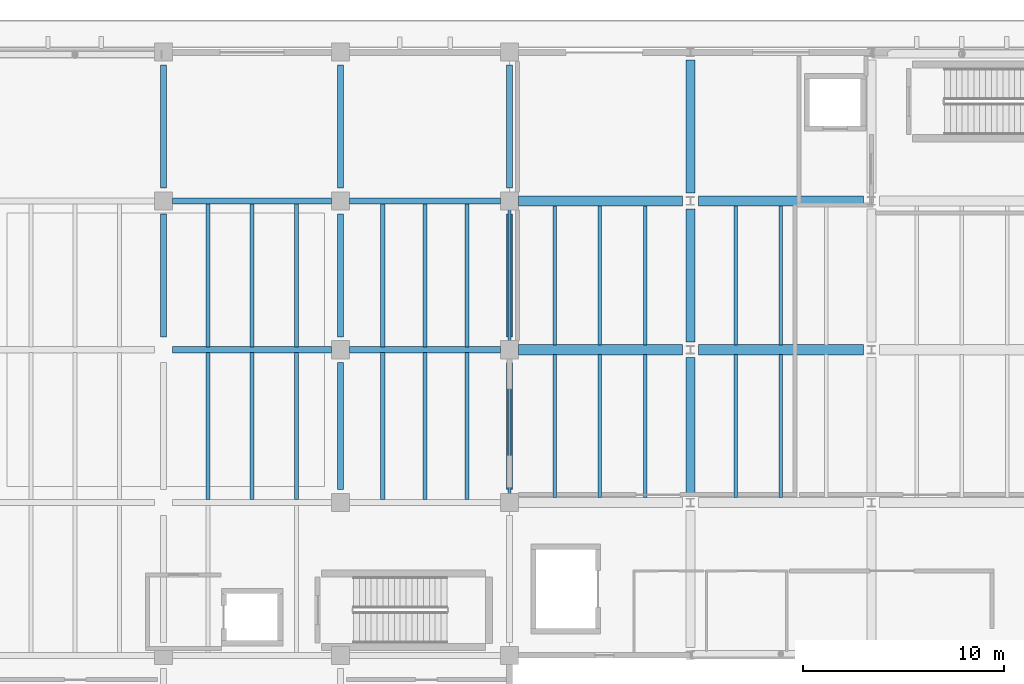
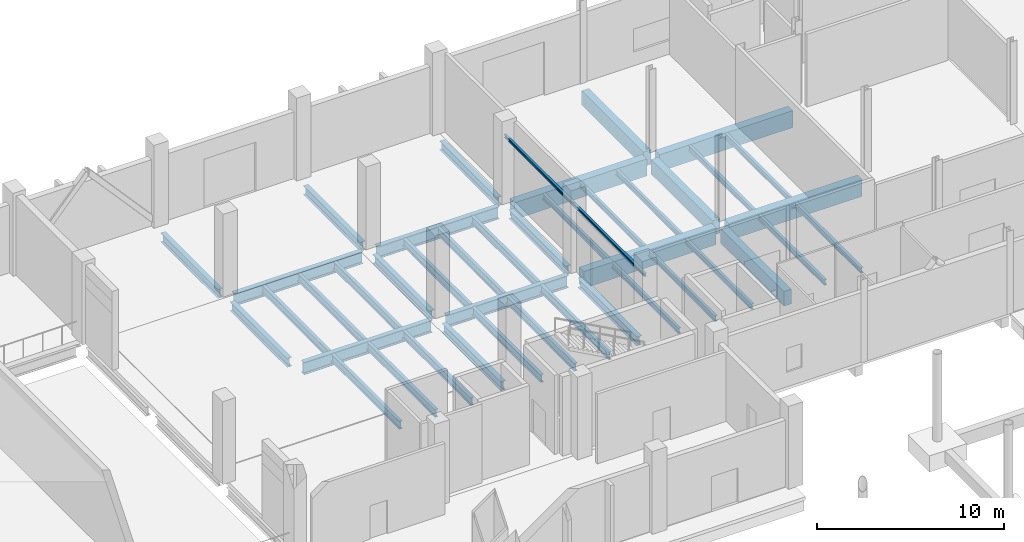
# One storey, part 47 of 95: 43 beams.
"""IFC4 building model written with IfcOpenShell, lengths in metres."""

from ifc_helpers import new_model, si_unit, direction, frame, origin, origin_2d, place, context, subcontext, project, spatial, rectangle, i_section, extrude, material, material_profile, profile_set, type_object, element, save


model = new_model("IFC4")

# Units and contexts
model_context = context("Model", 3, precision=1e-05, world=origin(), true_north=direction((0.0, 1.0)))
body_context = subcontext(model_context, "Body", "Model", "MODEL_VIEW")
ifc_project = project(units=[si_unit("LENGTHUNIT", "METRE"), si_unit("AREAUNIT", "SQUARE_METRE"), si_unit("VOLUMEUNIT", "CUBIC_METRE"), si_unit("PLANEANGLEUNIT", "RADIAN"), si_unit("MASSUNIT", "GRAM", prefix="KILO")], contexts=[model_context])

# Site, building, storey
site_placement = place(None, origin())
site = spatial("IfcSite", under=ifc_project, at=site_placement, CompositionType="ELEMENT")
building_placement = place(site_placement, origin())
building = spatial("IfcBuilding", under=site, at=building_placement, Name="Shengluoqiao Park Theatre", CompositionType="ELEMENT")
storey_placement = place(building_placement, origin())
storey = spatial("IfcBuildingStorey", under=building, at=storey_placement, Name="L00", CompositionType="ELEMENT", Elevation=0.0)

# Beams
ifc_material_1 = material(Name="Concrete C40", Category="concrete")
ifc_material_profile_1 = material_profile(ifc_material_1, rectangle(XDim=0.449951171875, YDim=0.949951171875, at=origin_2d()), Name="RC BEAM 450x950")
ifc_profile_set_1 = profile_set([ifc_material_profile_1], Name="Concrete C40")
beam_type_1 = type_object("IfcBeamType", Name="STR-BM-B-RC4595", PredefinedType="BEAM", material=ifc_profile_set_1)
beam_1_placement = place(storey_placement, frame((121.39990234375, 91.993896484375, -0.77490234375), z_axis=(0.0, 1.0, 0.0), x_axis=(-1.0, 0.0, 0.0)))
element("IfcBeam", 1, at=beam_1_placement, inside=storey, type_object=beam_type_1, Name="L00 Transverse Girder 00230", PredefinedType="BEAM", context=body_context, shape_type="SweptSolid", body=[
    extrude(rectangle(XDim=0.449951171875, YDim=0.949951171875, at=origin_2d()), origin(), (0.0, 0.0, 1.0), 6.81201171875),
])
for number, where, z_axis, x_axis, name in (
    (2, (121.39990234375, 99.593994140625, -0.77490234375), (0.0, 1.0, 0.0), (-1.0, 0.0, 0.0), "L00 Transverse Girder 00231"),
    (3, (121.39990234375, 106.993896484375, -0.77490234375), (0.0, 1.0, 0.0), (-1.0, 0.0, 0.0), "L00 Transverse Girder 00232"),
):
    element("IfcBeam", number, at=place(storey_placement, frame(where, z_axis=z_axis, x_axis=x_axis)), inside=storey, type_object=beam_type_1, Name=name, PredefinedType="BEAM", context=body_context, shape_type="SweptSolid", body=[
        extrude(rectangle(XDim=0.449951171875, YDim=0.949951171875, at=origin_2d()), origin(), (0.0, 0.0, 1.0), 6.612060546875),
    ])
ifc_material_profile_2 = material_profile(ifc_material_1, rectangle(XDim=0.5, YDim=1.10009765625, at=origin_2d()), Name="RC BEAM 500x1100")
ifc_profile_set_2 = profile_set([ifc_material_profile_2], Name="Concrete C40")
beam_type_2 = type_object("IfcBeamType", Name="STR-BM-B-RC5011", PredefinedType="BEAM", material=ifc_profile_set_2)
beam_2_placement = place(storey_placement, frame((112.843994140625, 99.199951171875, -0.85009765625), z_axis=(1.0, 0.0, 0.0), x_axis=(0.0, 1.0, 0.0)))
element("IfcBeam", 4, at=beam_2_placement, inside=storey, type_object=beam_type_2, Name="L00 Primary Girder 00223", PredefinedType="BEAM", context=body_context, shape_type="SweptSolid", body=[
    extrude(rectangle(XDim=0.5, YDim=1.10009765625, at=origin_2d()), origin(), (0.0, 0.0, 1.0), 8.162109375),
])
beam_3_placement = place(storey_placement, frame((121.7939453125, 99.199951171875, -0.85009765625), z_axis=(1.0, 0.0, 0.0), x_axis=(0.0, 1.0, 0.0)))
element("IfcBeam", 5, at=beam_3_placement, inside=storey, type_object=beam_type_2, Name="L00 Primary Girder 00224", PredefinedType="BEAM", context=body_context, shape_type="SweptSolid", body=[
    extrude(rectangle(XDim=0.5, YDim=1.10009765625, at=origin_2d()), origin(), (0.0, 0.0, 1.0), 8.212158203125),
])
beam_4_placement = place(storey_placement, frame((112.843994140625, 106.60009765625, -0.85009765625), z_axis=(1.0, 0.0, 0.0), x_axis=(0.0, 1.0, 0.0)))
element("IfcBeam", 6, at=beam_4_placement, inside=storey, type_object=beam_type_2, Name="L00 Primary Girder 00226", PredefinedType="BEAM", context=body_context, shape_type="SweptSolid", body=[
    extrude(rectangle(XDim=0.5, YDim=1.10009765625, at=origin_2d()), origin(), (0.0, 0.0, 1.0), 8.162109375),
])
beam_5_placement = place(storey_placement, frame((121.7939453125, 106.60009765625, -0.85009765625), z_axis=(1.0, 0.0, 0.0), x_axis=(0.0, 1.0, 0.0)))
element("IfcBeam", 7, at=beam_5_placement, inside=storey, type_object=beam_type_2, Name="L00 Primary Girder 00227", PredefinedType="BEAM", context=body_context, shape_type="SweptSolid", body=[
    extrude(rectangle(XDim=0.5, YDim=1.10009765625, at=origin_2d()), origin(), (0.0, 0.0, 1.0), 8.212158203125),
])
ifc_material_2 = material(Name="Steel Q355", Category="steel")
ifc_material_profile_3 = material_profile(ifc_material_2, i_section(OverallWidth=0.300048828125, OverallDepth=0.58203125, WebThickness=0.011962890625, FlangeThickness=0.01708984375, FilletRadius=0.02392578125, at=origin_2d()), Name="HM 582x300x12x17")
ifc_profile_set_3 = profile_set([ifc_material_profile_3], Name="Steel Q355")
beam_type_3 = type_object("IfcBeamType", Name="STR-BM-G-HM582", PredefinedType="BEAM", material=ifc_profile_set_3)
for number, where, z_axis, x_axis, name in (
    (8, (95.199951171875, 99.843994140625, -0.571044921875), (0.0, 1.0, 0.0), (-1.0, 0.0, 0.0), "L00 Transverse Girder 00157"),
    (9, (95.199951171875, 107.243896484375, -0.571044921875), (0.0, 1.0, 0.0), (-1.0, 0.0, 0.0), "L00 Transverse Girder 00158"),
):
    element("IfcBeam", number, at=place(storey_placement, frame(where, z_axis=z_axis, x_axis=x_axis)), inside=storey, type_object=beam_type_3, Name=name, PredefinedType="BEAM", context=body_context, shape_type="SweptSolid", body=[
        extrude(i_section(OverallWidth=0.300048828125, OverallDepth=0.58203125, WebThickness=0.011962890625, FlangeThickness=0.01708984375, FilletRadius=0.02392578125, at=origin_2d()), origin(), (0.0, 0.0, 1.0), 6.112060546875),
    ])
beam_6_placement = place(storey_placement, frame((104.0, 92.243896484375, -0.571044921875), z_axis=(0.0, 1.0, 0.0), x_axis=(-1.0, 0.0, 0.0)))
element("IfcBeam", 10, at=beam_6_placement, inside=storey, type_object=beam_type_3, Name="L00 Transverse Girder 00159", PredefinedType="BEAM", context=body_context, shape_type="SweptSolid", body=[
    extrude(i_section(OverallWidth=0.300048828125, OverallDepth=0.58203125, WebThickness=0.011962890625, FlangeThickness=0.01708984375, FilletRadius=0.02392578125, at=origin_2d()), origin(), (0.0, 0.0, 1.0), 6.31201171875),
])
for number, where, z_axis, x_axis, name in (
    (11, (104.0, 99.843994140625, -0.571044921875), (0.0, 1.0, 0.0), (-1.0, 0.0, 0.0), "L00 Transverse Girder 00160"),
    (12, (104.0, 107.243896484375, -0.571044921875), (0.0, 1.0, 0.0), (-1.0, 0.0, 0.0), "L00 Transverse Girder 00161"),
):
    element("IfcBeam", number, at=place(storey_placement, frame(where, z_axis=z_axis, x_axis=x_axis)), inside=storey, type_object=beam_type_3, Name=name, PredefinedType="BEAM", context=body_context, shape_type="SweptSolid", body=[
        extrude(i_section(OverallWidth=0.300048828125, OverallDepth=0.58203125, WebThickness=0.011962890625, FlangeThickness=0.01708984375, FilletRadius=0.02392578125, at=origin_2d()), origin(), (0.0, 0.0, 1.0), 6.112060546875),
    ])
beam_7_placement = place(storey_placement, frame((112.39990234375, 92.243896484375, -0.591064453125), z_axis=(0.0, 1.0, 0.0), x_axis=(-1.0, 0.0, 0.0)))
element("IfcBeam", 13, at=beam_7_placement, inside=storey, type_object=beam_type_3, Name="L00 Transverse Girder 00163", PredefinedType="BEAM", context=body_context, shape_type="SweptSolid", body=[
    extrude(i_section(OverallWidth=0.300048828125, OverallDepth=0.58203125, WebThickness=0.011962890625, FlangeThickness=0.01708984375, FilletRadius=0.02392578125, at=origin_2d()), origin(), (0.0, 0.0, 1.0), 6.31201171875),
])
for number, where, z_axis, x_axis, name in (
    (14, (112.39990234375, 99.843994140625, -0.591064453125), (0.0, 1.0, 0.0), (-1.0, 0.0, 0.0), "L00 Transverse Girder 00164"),
    (15, (112.39990234375, 107.243896484375, -0.591064453125), (0.0, 1.0, 0.0), (-1.0, 0.0, 0.0), "L00 Transverse Girder 00165"),
):
    element("IfcBeam", number, at=place(storey_placement, frame(where, z_axis=z_axis, x_axis=x_axis)), inside=storey, type_object=beam_type_3, Name=name, PredefinedType="BEAM", context=body_context, shape_type="SweptSolid", body=[
        extrude(i_section(OverallWidth=0.300048828125, OverallDepth=0.58203125, WebThickness=0.011962890625, FlangeThickness=0.01708984375, FilletRadius=0.02392578125, at=origin_2d()), origin(), (0.0, 0.0, 1.0), 6.112060546875),
    ])
ifc_material_3 = material(Name="Steel Q390", Category="steel")
ifc_material_profile_4 = material_profile(ifc_material_3, i_section(OverallWidth=0.300048828125, OverallDepth=0.800048828125, WebThickness=0.013916015625, FlangeThickness=0.02587890625, FilletRadius=0.02587890625, at=origin_2d()), Name="HN 800x300x14x26")
ifc_profile_set_4 = profile_set([ifc_material_profile_4], Name="Steel Q390")
beam_type_4 = type_object("IfcBeamType", Name="STR-BM-G-HN800", PredefinedType="BEAM", material=ifc_profile_set_4)
beam_8_placement = place(storey_placement, frame((95.64404296875, 99.199951171875, -0.679931640625), z_axis=(1.0, 0.0, 0.0), x_axis=(0.0, 1.0, 0.0)))
element("IfcBeam", 16, at=beam_8_placement, inside=storey, type_object=beam_type_4, Name="L00 Primary Girder 00147", PredefinedType="BEAM", context=body_context, shape_type="SweptSolid", body=[
    extrude(i_section(OverallWidth=0.300048828125, OverallDepth=0.800048828125, WebThickness=0.013916015625, FlangeThickness=0.02587890625, FilletRadius=0.02587890625, at=origin_2d()), origin(), (0.0, 0.0, 1.0), 7.911865234375),
])
beam_9_placement = place(storey_placement, frame((104.444091796875, 99.199951171875, -0.699951171875), z_axis=(1.0, 0.0, 0.0), x_axis=(0.0, 1.0, 0.0)))
element("IfcBeam", 17, at=beam_9_placement, inside=storey, type_object=beam_type_4, Name="L00 Primary Girder 00148", PredefinedType="BEAM", context=body_context, shape_type="SweptSolid", body=[
    extrude(i_section(OverallWidth=0.300048828125, OverallDepth=0.800048828125, WebThickness=0.013916015625, FlangeThickness=0.02587890625, FilletRadius=0.02587890625, at=origin_2d()), origin(), (0.0, 0.0, 1.0), 7.511962890625),
])
beam_10_placement = place(storey_placement, frame((95.64404296875, 106.60009765625, -0.679931640625), z_axis=(1.0, 0.0, 0.0), x_axis=(0.0, 1.0, 0.0)))
element("IfcBeam", 18, at=beam_10_placement, inside=storey, type_object=beam_type_4, Name="L00 Primary Girder 00150", PredefinedType="BEAM", context=body_context, shape_type="SweptSolid", body=[
    extrude(i_section(OverallWidth=0.300048828125, OverallDepth=0.800048828125, WebThickness=0.013916015625, FlangeThickness=0.02587890625, FilletRadius=0.02587890625, at=origin_2d()), origin(), (0.0, 0.0, 1.0), 7.911865234375),
])
beam_11_placement = place(storey_placement, frame((104.444091796875, 106.60009765625, -0.699951171875), z_axis=(1.0, 0.0, 0.0), x_axis=(0.0, 1.0, 0.0)))
element("IfcBeam", 19, at=beam_11_placement, inside=storey, type_object=beam_type_4, Name="L00 Primary Girder 00151", PredefinedType="BEAM", context=body_context, shape_type="SweptSolid", body=[
    extrude(i_section(OverallWidth=0.300048828125, OverallDepth=0.800048828125, WebThickness=0.013916015625, FlangeThickness=0.02587890625, FilletRadius=0.02587890625, at=origin_2d()), origin(), (0.0, 0.0, 1.0), 7.511962890625),
])
ifc_material_profile_5 = material_profile(ifc_material_2, i_section(OverallWidth=0.175048828125, OverallDepth=0.35009765625, WebThickness=0.007080078125, FlangeThickness=0.010986328125, FilletRadius=0.013916015625, at=origin_2d()), Name="HN 350x175x7x11")
ifc_profile_set_5 = profile_set([ifc_material_profile_5], Name="Steel Q355")
beam_type_5 = type_object("IfcBeamType", Name="STR-BM-J-HN350", PredefinedType="JOIST", material=ifc_profile_set_5)
for number, where, z_axis, x_axis, name in (
    (20, (114.64990234375, 91.844970703125, -0.47509765625), (0.0, 1.0, 0.0), (-1.0, 0.0, 0.0), "L00 Composite Joist 00240"),
    (21, (116.89990234375, 91.844970703125, -0.47509765625), (0.0, 1.0, 0.0), (-1.0, 0.0, 0.0), "L00 Composite Joist 00241"),
    (22, (119.14990234375, 91.844970703125, -0.47509765625), (0.0, 1.0, 0.0), (-1.0, 0.0, 0.0), "L00 Composite Joist 00242"),
):
    element("IfcBeam", number, at=place(storey_placement, frame(where, z_axis=z_axis, x_axis=x_axis)), inside=storey, type_object=beam_type_5, Name=name, PredefinedType="JOIST", context=body_context, shape_type="SweptSolid", body=[
        extrude(i_section(OverallWidth=0.175048828125, OverallDepth=0.35009765625, WebThickness=0.007080078125, FlangeThickness=0.010986328125, FilletRadius=0.013916015625, at=origin_2d()), origin(), (0.0, 0.0, 1.0), 7.110107421875),
    ])
for number, where, z_axis, x_axis, name in (
    (23, (114.64990234375, 99.445068359375, -0.47509765625), (0.0, 1.0, 0.0), (-1.0, 0.0, 0.0), "L00 Composite Joist 00243"),
    (24, (116.89990234375, 99.445068359375, -0.47509765625), (0.0, 1.0, 0.0), (-1.0, 0.0, 0.0), "L00 Composite Joist 00244"),
    (25, (119.14990234375, 99.445068359375, -0.47509765625), (0.0, 1.0, 0.0), (-1.0, 0.0, 0.0), "L00 Composite Joist 00245"),
):
    element("IfcBeam", number, at=place(storey_placement, frame(where, z_axis=z_axis, x_axis=x_axis)), inside=storey, type_object=beam_type_5, Name=name, PredefinedType="JOIST", context=body_context, shape_type="SweptSolid", body=[
        extrude(i_section(OverallWidth=0.175048828125, OverallDepth=0.35009765625, WebThickness=0.007080078125, FlangeThickness=0.010986328125, FilletRadius=0.013916015625, at=origin_2d()), origin(), (0.0, 0.0, 1.0), 6.909912109375),
    ])
for number, where, z_axis, x_axis, name in (
    (26, (123.64990234375, 91.844970703125, -0.47509765625), (0.0, 1.0, 0.0), (-1.0, 0.0, 0.0), "L00 Composite Joist 00246"),
    (27, (125.89990234375, 91.844970703125, -0.47509765625), (0.0, 1.0, 0.0), (-1.0, 0.0, 0.0), "L00 Composite Joist 00247"),
):
    element("IfcBeam", number, at=place(storey_placement, frame(where, z_axis=z_axis, x_axis=x_axis)), inside=storey, type_object=beam_type_5, Name=name, PredefinedType="JOIST", context=body_context, shape_type="SweptSolid", body=[
        extrude(i_section(OverallWidth=0.175048828125, OverallDepth=0.35009765625, WebThickness=0.007080078125, FlangeThickness=0.010986328125, FilletRadius=0.013916015625, at=origin_2d()), origin(), (0.0, 0.0, 1.0), 7.110107421875),
    ])
for number, where, z_axis, x_axis, name in (
    (28, (123.64990234375, 99.445068359375, -0.47509765625), (0.0, 1.0, 0.0), (-1.0, 0.0, 0.0), "L00 Composite Joist 00249"),
    (29, (125.89990234375, 99.445068359375, -0.47509765625), (0.0, 1.0, 0.0), (-1.0, 0.0, 0.0), "L00 Composite Joist 00250"),
):
    element("IfcBeam", number, at=place(storey_placement, frame(where, z_axis=z_axis, x_axis=x_axis)), inside=storey, type_object=beam_type_5, Name=name, PredefinedType="JOIST", context=body_context, shape_type="SweptSolid", body=[
        extrude(i_section(OverallWidth=0.175048828125, OverallDepth=0.35009765625, WebThickness=0.007080078125, FlangeThickness=0.010986328125, FilletRadius=0.013916015625, at=origin_2d()), origin(), (0.0, 0.0, 1.0), 6.909912109375),
    ])
ifc_material_profile_6 = material_profile(ifc_material_2, i_section(OverallWidth=0.199951171875, OverallDepth=0.5, WebThickness=0.010009765625, FlangeThickness=0.01611328125, FilletRadius=0.01806640625, at=origin_2d()), Name="HN 500x200x10x16")
ifc_profile_set_6 = profile_set([ifc_material_profile_6], Name="Steel Q355")
beam_type_6 = type_object("IfcBeamType", Name="STR-BM-J-HN500", PredefinedType="JOIST", material=ifc_profile_set_6)
for number, where, z_axis, x_axis, name in (
    (30, (97.39990234375, 91.7451171875, -0.530029296875), (0.0, 1.0, 0.0), (-1.0, 0.0, 0.0), "L00 Composite Joist 00177"),
    (31, (99.60009765625, 91.7451171875, -0.530029296875), (0.0, 1.0, 0.0), (-1.0, 0.0, 0.0), "L00 Composite Joist 00178"),
    (32, (101.800048828125, 91.7451171875, -0.530029296875), (0.0, 1.0, 0.0), (-1.0, 0.0, 0.0), "L00 Composite Joist 00179"),
):
    element("IfcBeam", number, at=place(storey_placement, frame(where, z_axis=z_axis, x_axis=x_axis)), inside=storey, type_object=beam_type_6, Name=name, PredefinedType="JOIST", context=body_context, shape_type="SweptSolid", body=[
        extrude(i_section(OverallWidth=0.199951171875, OverallDepth=0.5, WebThickness=0.010009765625, FlangeThickness=0.01611328125, FilletRadius=0.01806640625, at=origin_2d()), origin(), (0.0, 0.0, 1.0), 7.309814453125),
    ])
for number, where, z_axis, x_axis, name in (
    (33, (97.39990234375, 99.344970703125, -0.530029296875), (0.0, 1.0, 0.0), (-1.0, 0.0, 0.0), "L00 Composite Joist 00180"),
    (34, (99.60009765625, 99.344970703125, -0.530029296875), (0.0, 1.0, 0.0), (-1.0, 0.0, 0.0), "L00 Composite Joist 00181"),
    (35, (101.800048828125, 99.344970703125, -0.530029296875), (0.0, 1.0, 0.0), (-1.0, 0.0, 0.0), "L00 Composite Joist 00182"),
):
    element("IfcBeam", number, at=place(storey_placement, frame(where, z_axis=z_axis, x_axis=x_axis)), inside=storey, type_object=beam_type_6, Name=name, PredefinedType="JOIST", context=body_context, shape_type="SweptSolid", body=[
        extrude(i_section(OverallWidth=0.199951171875, OverallDepth=0.5, WebThickness=0.010009765625, FlangeThickness=0.01611328125, FilletRadius=0.01806640625, at=origin_2d()), origin(), (0.0, 0.0, 1.0), 7.110107421875),
    ])
for number, where, z_axis, x_axis, name in (
    (36, (106.10009765625, 91.7451171875, -0.530029296875), (0.0, 1.0, 0.0), (-1.0, 0.0, 0.0), "L00 Composite Joist 00183"),
    (37, (108.199951171875, 91.7451171875, -0.530029296875), (0.0, 1.0, 0.0), (-1.0, 0.0, 0.0), "L00 Composite Joist 00184"),
    (38, (110.300048828125, 91.7451171875, -0.530029296875), (0.0, 1.0, 0.0), (-1.0, 0.0, 0.0), "L00 Composite Joist 00185"),
):
    element("IfcBeam", number, at=place(storey_placement, frame(where, z_axis=z_axis, x_axis=x_axis)), inside=storey, type_object=beam_type_6, Name=name, PredefinedType="JOIST", context=body_context, shape_type="SweptSolid", body=[
        extrude(i_section(OverallWidth=0.199951171875, OverallDepth=0.5, WebThickness=0.010009765625, FlangeThickness=0.01611328125, FilletRadius=0.01806640625, at=origin_2d()), origin(), (0.0, 0.0, 1.0), 7.309814453125),
    ])
for number, where, z_axis, x_axis, name in (
    (39, (106.10009765625, 99.344970703125, -0.530029296875), (0.0, 1.0, 0.0), (-1.0, 0.0, 0.0), "L00 Composite Joist 00186"),
    (40, (108.199951171875, 99.344970703125, -0.530029296875), (0.0, 1.0, 0.0), (-1.0, 0.0, 0.0), "L00 Composite Joist 00187"),
    (41, (110.300048828125, 99.344970703125, -0.530029296875), (0.0, 1.0, 0.0), (-1.0, 0.0, 0.0), "L00 Composite Joist 00188"),
):
    element("IfcBeam", number, at=place(storey_placement, frame(where, z_axis=z_axis, x_axis=x_axis)), inside=storey, type_object=beam_type_6, Name=name, PredefinedType="JOIST", context=body_context, shape_type="SweptSolid", body=[
        extrude(i_section(OverallWidth=0.199951171875, OverallDepth=0.5, WebThickness=0.010009765625, FlangeThickness=0.01611328125, FilletRadius=0.01806640625, at=origin_2d()), origin(), (0.0, 0.0, 1.0), 7.110107421875),
    ])
ifc_material_profile_7 = material_profile(ifc_material_2, i_section(OverallWidth=0.14990234375, OverallDepth=0.194091796875, WebThickness=0.006103515625, FlangeThickness=0.009033203125, FilletRadius=0.012939453125, at=origin_2d()), Name="HM 194x150x6x9")
ifc_profile_set_7 = profile_set([ifc_material_profile_7], Name="Steel Q355")
beam_type_7 = type_object("IfcBeamType", Name="STR-BM-LN-HM194", PredefinedType="LINTEL", material=ifc_profile_set_7)
beam_12_placement = place(storey_placement, frame((112.39990234375, 91.60009765625, 4.10009765625), z_axis=(0.0, 1.0, 0.0), x_axis=(-1.0, 0.0, 0.0)))
element("IfcBeam", 42, at=beam_12_placement, inside=storey, type_object=beam_type_7, Name="L00 Structural Door Lintel 03", PredefinedType="LINTEL", context=body_context, shape_type="SweptSolid", body=[
    extrude(i_section(OverallWidth=0.14990234375, OverallDepth=0.194091796875, WebThickness=0.006103515625, FlangeThickness=0.009033203125, FilletRadius=0.012939453125, at=origin_2d()), origin(), (0.0, 0.0, 1.0), 7.599853515625),
])
beam_13_placement = place(storey_placement, frame((112.39990234375, 99.199951171875, 4.10009765625), z_axis=(0.0, 1.0, 0.0), x_axis=(-1.0, 0.0, 0.0)))
element("IfcBeam", 43, at=beam_13_placement, inside=storey, type_object=beam_type_7, Name="L00 Structural Door Lintel 04", PredefinedType="LINTEL", context=body_context, shape_type="SweptSolid", body=[
    extrude(i_section(OverallWidth=0.14990234375, OverallDepth=0.194091796875, WebThickness=0.006103515625, FlangeThickness=0.009033203125, FilletRadius=0.012939453125, at=origin_2d()), origin(), (0.0, 0.0, 1.0), 7.400146484375),
])

save(model, "model.ifc")
